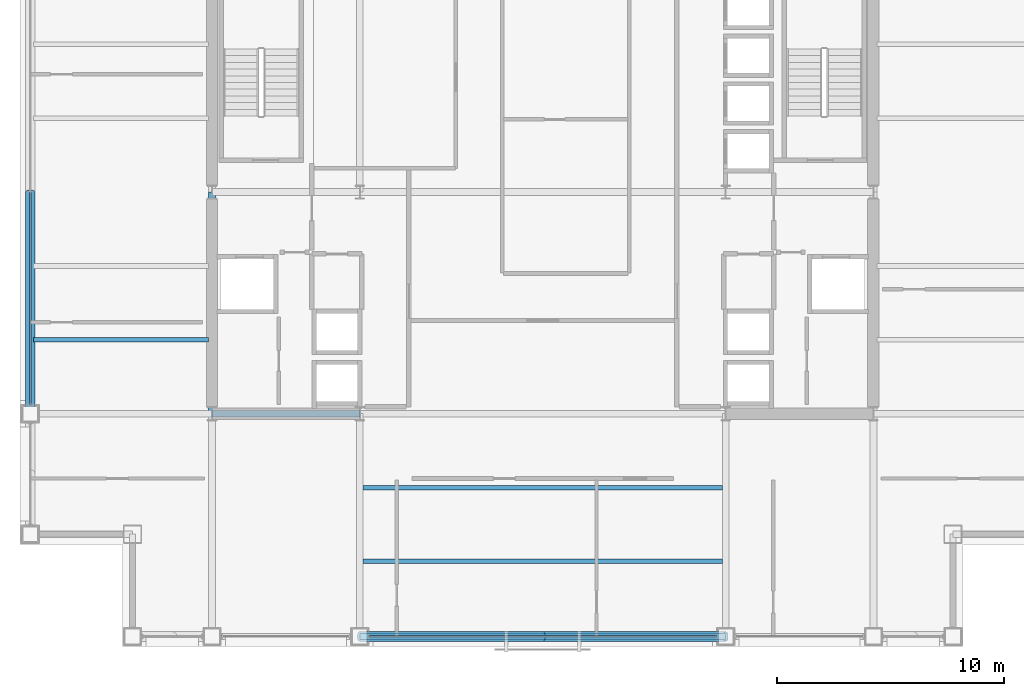
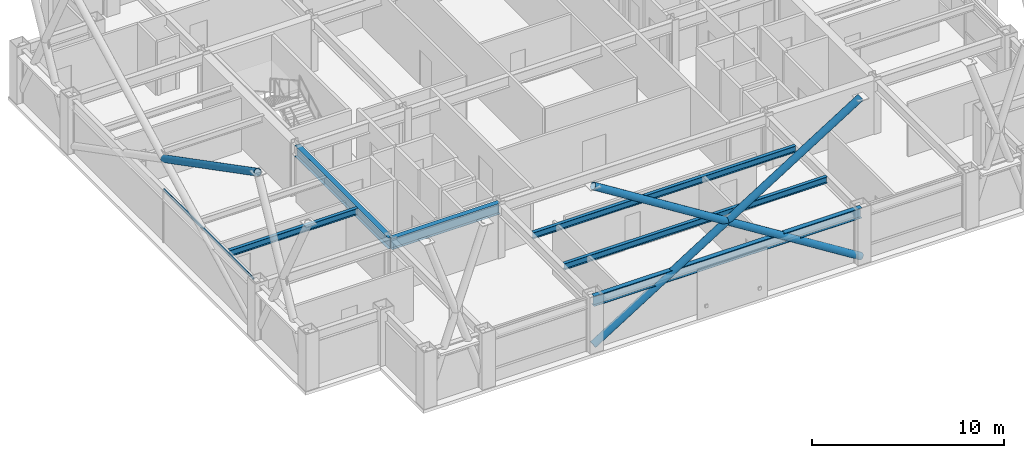
# One storey, part 6 of 33: 6 beams, 6 members, 2 elements without a shape of their own.
"""IFC4 building model written with IfcOpenShell, lengths in metres."""

from ifc_helpers import new_model, si_unit, direction, frame, origin, origin_2d, place, context, subcontext, project, spatial, hollow_rectangle, hollow_circle, i_section, extrude, material, layer, layer_set, material_profile, profile_set, type_object, element, aggregate, save


model = new_model("IFC4")

# Units and contexts
model_context = context("Model", 3, precision=1e-05, world=origin(), true_north=direction((0.0, 1.0)))
body_context = subcontext(model_context, "Body", "Model", "MODEL_VIEW")
ifc_project = project(units=[si_unit("LENGTHUNIT", "METRE"), si_unit("AREAUNIT", "SQUARE_METRE"), si_unit("VOLUMEUNIT", "CUBIC_METRE"), si_unit("PLANEANGLEUNIT", "RADIAN"), si_unit("MASSUNIT", "GRAM", prefix="KILO")], contexts=[model_context])

# Site, building, storey
site_placement = place(None, origin())
site = spatial("IfcSite", under=ifc_project, at=site_placement, CompositionType="ELEMENT")
building_placement = place(site_placement, origin())
building = spatial("IfcBuilding", under=site, at=building_placement, Name="Brelmoor Portico Tower", CompositionType="ELEMENT")
storey_placement = place(building_placement, frame((0.0, 0.0, 120.60009765625)))
storey = spatial("IfcBuildingStorey", under=building, at=storey_placement, Name="L31", CompositionType="ELEMENT", Elevation=120.60009765625)

# Beams
ifc_material_1 = material(Name="Steel Q355B", Category="steel")
ifc_material_profile_1 = material_profile(ifc_material_1, i_section(OverallWidth=0.199951171875, OverallDepth=0.39990234375, WebThickness=0.008056640625, FlangeThickness=0.012939453125, at=origin_2d()), Name="HN 400x200x8x13")
ifc_profile_set_1 = profile_set([ifc_material_profile_1], Name="Steel Q355B")
beam_type_1 = type_object("IfcBeamType", Name="BM-JS-400", PredefinedType="JOIST", material=ifc_profile_set_1)
for number, where, z_axis, x_axis, name in (
    (1, (-7.89990234375, -16.25, 3.199951171875), (1.0, 0.0, 0.0), (0.0, 1.0, 0.0), "L31 Secondary Composite Joist JS-C01"),
    (2, (-7.89990234375, -13.0, 3.199951171875), (1.0, 0.0, 0.0), (0.0, 1.0, 0.0), "L31 Secondary Composite Joist JS-C02"),
):
    element("IfcBeam", number, at=place(storey_placement, frame(where, z_axis=z_axis, x_axis=x_axis)), inside=storey, type_object=beam_type_1, Name=name, PredefinedType="JOIST", context=body_context, shape_type="SweptSolid", body=[
        extrude(i_section(OverallWidth=0.199951171875, OverallDepth=0.39990234375, WebThickness=0.008056640625, FlangeThickness=0.012939453125, at=origin_2d()), origin(), (0.0, 0.0, 1.0), 15.7998046875),
    ])
beam_1_placement = place(storey_placement, frame((-22.409912109375, -6.5, 3.199951171875), z_axis=(1.0, 0.0, 0.0), x_axis=(0.0, 1.0, 0.0)))
element("IfcBeam", 3, at=beam_1_placement, inside=storey, type_object=beam_type_1, Name="L31 Secondary Wing Joist JS-W05", PredefinedType="JOIST", context=body_context, shape_type="SweptSolid", body=[
    extrude(i_section(OverallWidth=0.199951171875, OverallDepth=0.39990234375, WebThickness=0.008056640625, FlangeThickness=0.012939453125, at=origin_2d()), origin(), (0.0, 0.0, 1.0), 7.7099609375),
])
ifc_material_profile_2 = material_profile(ifc_material_1, i_section(OverallWidth=0.300048828125, OverallDepth=0.699951171875, WebThickness=0.012939453125, FlangeThickness=0.02392578125, at=origin_2d()), Name="HN 700x300x13x24")
ifc_profile_set_2 = profile_set([ifc_material_profile_2], Name="Steel Q355B")
beam_type_2 = type_object("IfcBeamType", Name="BM-PG-700", PredefinedType="BEAM", material=ifc_profile_set_2)
beam_2_placement = place(storey_placement, frame((-14.550048828125, -9.75, 3.0498046875), z_axis=(0.0, 1.0, 0.0), x_axis=(-1.0, 0.0, 0.0)))
element("IfcBeam", 4, at=beam_2_placement, inside=storey, type_object=beam_type_2, Name="L31 Primary Floor Girder PG-02", PredefinedType="BEAM", context=body_context, shape_type="SweptSolid", body=[
    extrude(i_section(OverallWidth=0.300048828125, OverallDepth=0.699951171875, WebThickness=0.012939453125, FlangeThickness=0.02392578125, at=origin_2d()), origin(), (0.0, 0.0, 1.0), 9.75),
])
beam_3_placement = place(storey_placement, frame((-14.550048828125, -9.75, 3.0498046875), z_axis=(1.0, 0.0, 0.0), x_axis=(0.0, 1.0, 0.0)))
element("IfcBeam", 5, at=beam_3_placement, inside=storey, type_object=beam_type_2, Name="L31 Primary Floor Girder PG-15", PredefinedType="BEAM", context=body_context, shape_type="SweptSolid", body=[
    extrude(i_section(OverallWidth=0.300048828125, OverallDepth=0.699951171875, WebThickness=0.012939453125, FlangeThickness=0.02392578125, at=origin_2d()), origin(), (0.0, 0.0, 1.0), 6.5),
])
ifc_material_profile_3 = material_profile(ifc_material_1, i_section(OverallWidth=0.280029296875, OverallDepth=0.64990234375, WebThickness=0.012939453125, FlangeThickness=0.02197265625, at=origin_2d()), Name="HN 650x280x13x22")
ifc_profile_set_3 = profile_set([ifc_material_profile_3], Name="Steel Q355B")
beam_type_3 = type_object("IfcBeamType", Name="BM-SP-650", PredefinedType="SPANDREL", material=ifc_profile_set_3)
beam_4_placement = place(storey_placement, frame((-8.050048828125, -19.550048828125, 3.074951171875), z_axis=(1.0, 0.0, 0.0), x_axis=(0.0, 1.0, 0.0)))
element("IfcBeam", 6, at=beam_4_placement, inside=storey, type_object=beam_type_3, Name="L31 Perimeter Spandrel Beam SP-03", PredefinedType="SPANDREL", context=body_context, shape_type="SweptSolid", body=[
    extrude(i_section(OverallWidth=0.280029296875, OverallDepth=0.64990234375, WebThickness=0.012939453125, FlangeThickness=0.02197265625, at=origin_2d()), origin(), (0.0, 0.0, 1.0), 16.10009765625),
])

# Members
ifc_material_profile_4 = material_profile(ifc_material_1, hollow_circle(Radius=0.212890625, WallThickness=0.02001953125, at=origin_2d()), Name="CHS 426x20")
ifc_profile_set_4 = profile_set([ifc_material_profile_4], Name="Steel Q355B")
member_type_1 = type_object("IfcMemberType", Name="MB-BELT-DIAG1", PredefinedType="BRACE", material=ifc_profile_set_4)
member_1_placement = place(storey_placement, frame((-8.050048828125, -19.550048828125, 0.25), z_axis=(0.847115258736, 0.0, 0.531409200538), x_axis=(0.0, 1.0, 0.0)))
element("IfcMember", 7, at=member_1_placement, inside=storey, type_object=member_type_1, Name="L31 Continuous Mega-X Brace 065A", PredefinedType="BRACE", context=body_context, shape_type="SweptSolid", body=[
    extrude(hollow_circle(Radius=0.212890625, WallThickness=0.02001953125, at=origin_2d()), origin(), (0.0, 0.0, 1.0), 19.005859375),
])
for number, where, z_axis, x_axis, name in (
    (8, (8.050048828125, -19.550048828125, 0.25), (-0.847121041358, 0.0, 0.531399982393), (0.0, -1.0, 0.0), "L31 Split Mega-X Brace 065B1"),
    (9, (0.0, -19.550048828125, 5.2998046875), (-0.847109476093, 0.0, 0.531418418493), (0.0, -1.0, 0.0), "L31 Split Mega-X Brace 065B2"),
):
    element("IfcMember", number, at=place(storey_placement, frame(where, z_axis=z_axis, x_axis=x_axis)), inside=storey, type_object=member_type_1, Name=name, PredefinedType="BRACE", context=body_context, shape_type="SweptSolid", body=[
        extrude(hollow_circle(Radius=0.212890625, WallThickness=0.02001953125, at=origin_2d()), origin(), (0.0, 0.0, 1.0), 9.5029296875),
    ])
member_2_placement = place(storey_placement, frame((-22.550048828125, 0.0, 5.2998046875), z_axis=(0.0, -0.887959386012, 0.459921872488), x_axis=(1.0, 0.0, 0.0)))
element("IfcMember", 10, at=member_2_placement, inside=storey, type_object=member_type_1, Name="L31 Split Mega-X Brace 070B2", PredefinedType="BRACE", context=body_context, shape_type="SweptSolid", body=[
    extrude(hollow_circle(Radius=0.212890625, WallThickness=0.02001953125, at=origin_2d()), origin(), (0.0, 0.0, 1.0), 10.980224609375),
])

# Curtain wall, member
ifc_material_2 = material(Name="Anodised Aluminium Alloy 6063-T6", Category="aluminium")
ifc_layer = layer(ifc_material_2, 0.179931640625)
ifc_layer_set = layer_set([ifc_layer], Name="Anodised Aluminium Alloy 6063-T6")
curtain_wall_type = type_object("IfcCurtainWallType", Name="CW-TOWER-Z2-XB", PredefinedType="NOTDEFINED", material=ifc_layer_set)
curtain_wall_1_placement = place(storey_placement, origin())
curtain_wall_1 = element("IfcCurtainWall", 11, at=curtain_wall_1_placement, inside=storey, type_object=curtain_wall_type, Name="L31 Curtain Wall CW-L31-01-3", PredefinedType="NOTDEFINED")
ifc_material_profile_5 = material_profile(ifc_material_2, hollow_rectangle(XDim=0.06494140625, YDim=0.139892578125, WallThickness=0.00390625, at=origin_2d()), Name="ALU TRANSOM 65x140")
ifc_profile_set_5 = profile_set([ifc_material_profile_5], Name="Anodised Aluminium Alloy 6063-T6")
member_type_2 = type_object("IfcMemberType", Name="MB-CW-TRAN-140", PredefinedType="USERDEFINED", material=ifc_profile_set_5)
member_3_placement = place(storey_placement, frame((-7.639892578125, -19.550048828125, 3.329833984375), z_axis=(1.0, 0.0, 0.0), x_axis=(0.0, 1.0, 0.0)))
member_3 = element("IfcMember", 12, at=member_3_placement, type_object=member_type_2, Name="CW-L31-01-3 Transom 1-00", ObjectType="TRANSOM", PredefinedType="USERDEFINED", context=body_context, shape_type="SweptSolid", body=[
    extrude(hollow_rectangle(XDim=0.06494140625, YDim=0.139892578125, WallThickness=0.00390625, at=origin_2d()), origin(), (0.0, 0.0, 1.0), 15.27978515625),
])
aggregate(curtain_wall_1, [member_3])

curtain_wall_2_placement = place(storey_placement, origin())
curtain_wall_2 = element("IfcCurtainWall", 13, at=curtain_wall_2_placement, inside=storey, type_object=curtain_wall_type, Name="L31 Curtain Wall CW-L31-03-2", PredefinedType="NOTDEFINED")
member_4_placement = place(storey_placement, frame((-22.550048828125, -9.340087890625, 3.329833984375), z_axis=(0.0, 1.0, 0.0), x_axis=(-1.0, 0.0, 0.0)))
member_4 = element("IfcMember", 14, at=member_4_placement, type_object=member_type_2, Name="CW-L31-03-2 Transom 1-00", ObjectType="TRANSOM", PredefinedType="USERDEFINED", context=body_context, shape_type="SweptSolid", body=[
    extrude(hollow_rectangle(XDim=0.06494140625, YDim=0.139892578125, WallThickness=0.00390625, at=origin_2d()), origin(), (0.0, 0.0, 1.0), 9.340087890625),
])
aggregate(curtain_wall_2, [member_4])

save(model, "model.ifc")
